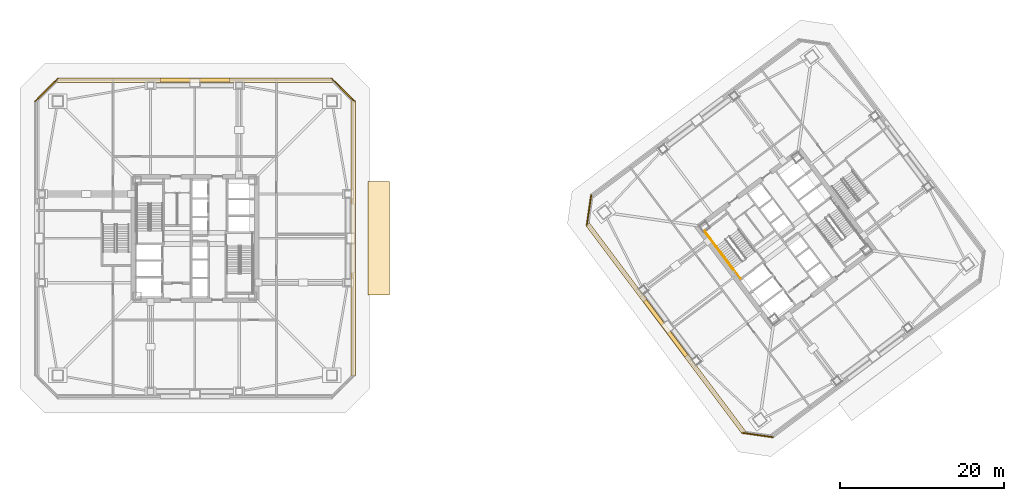
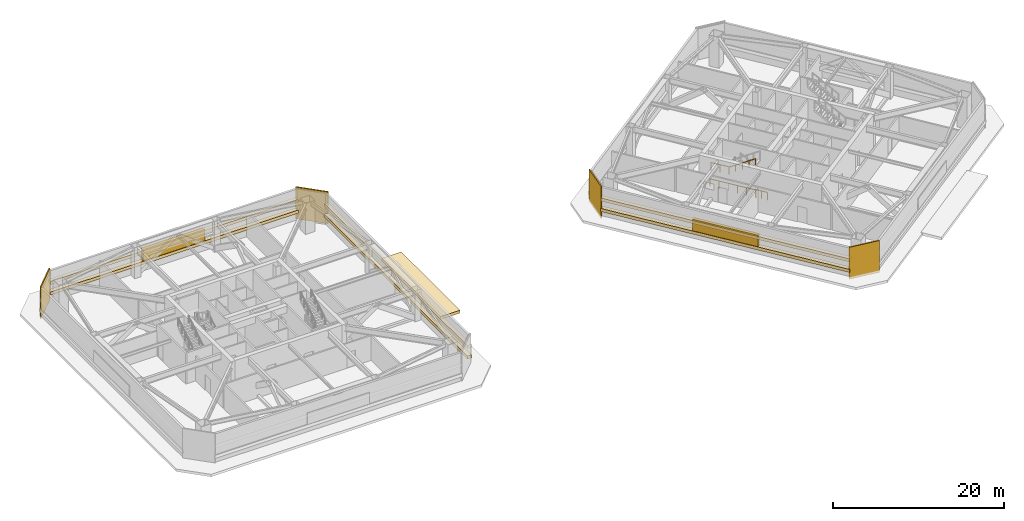
# One storey, part 12 of 15: 11 coverings, 4 railings, 2 shading devices.
"""IFC4 building model written with IfcOpenShell, lengths in metres."""

from ifc_helpers import new_model, si_unit, direction, frame, origin, origin_2d, place, context, subcontext, project, spatial, rectangle, extrude, material, layer, layer_set, type_object, element, save


model = new_model("IFC4")

# Units and contexts
model_context = context("Model", 3, precision=1e-05, world=origin(), true_north=direction((0.0, 1.0)))
body_context = subcontext(model_context, "Body", "Model", "MODEL_VIEW")
ifc_project = project(units=[si_unit("LENGTHUNIT", "METRE"), si_unit("AREAUNIT", "SQUARE_METRE"), si_unit("VOLUMEUNIT", "CUBIC_METRE"), si_unit("PLANEANGLEUNIT", "RADIAN"), si_unit("MASSUNIT", "GRAM", prefix="KILO")], contexts=[model_context])

# Site, building, storey
site_placement = place(None, origin())
site = spatial("IfcSite", under=ifc_project, at=site_placement, CompositionType="ELEMENT")
building_placement = place(site_placement, origin())
building = spatial("IfcBuilding", under=site, at=building_placement, Name="Tashvorn Skyway Center", CompositionType="ELEMENT")
storey_placement = place(building_placement, frame((0.0, 0.0, 109.800048828125)))
storey = spatial("IfcBuildingStorey", under=building, at=storey_placement, Name="L29", CompositionType="ELEMENT", Elevation=109.800048828125)

# Coverings
ifc_material_1 = material(Name="Perforated ceramic-coated bronze aluminium solar screen", Category="aluminium")
ifc_layer_1 = layer(ifc_material_1, 0.85009765625)
ifc_layer_set_1 = layer_set([ifc_layer_1], Name="Perforated ceramic-coated bronze aluminium solar screen")
covering_type_1 = type_object("IfcCoveringType", Name="COV-SOLAR-BAND", PredefinedType="CLADDING", material=ifc_layer_set_1)
for number, where, z_axis, x_axis, name in (
    (1, (42.0, 51.280029296875, 1.030029296875), (0.0, 0.0, 1.0), (1.0, 0.0, 0.0), "Tower 1 L29 North Belt Acoustic Louvre Band 1"),
    (2, (42.0, 51.280029296875, 2.530029296875), (0.0, 0.0, 1.0), (1.0, 0.0, 0.0), "Tower 1 L29 North Belt Acoustic Louvre Band 2"),
    (3, (61.280029296875, 32.0, 1.030029296875), (0.0, 0.0, 1.0), (0.0, -1.0, 0.0), "Tower 1 L29 East Belt Acoustic Louvre Band 1"),
    (4, (61.280029296875, 32.0, 2.530029296875), (0.0, 0.0, 1.0), (0.0, -1.0, 0.0), "Tower 1 L29 East Belt Acoustic Louvre Band 2"),
):
    element("IfcCovering", number, at=place(storey_placement, frame(where, z_axis=z_axis, x_axis=x_axis)), inside=storey, type_object=covering_type_1, Name=name, PredefinedType="CLADDING", context=body_context, shape_type="SweptSolid", body=[
        extrude(rectangle(XDim=33.56005859375, YDim=0.550048828125, at=origin_2d()), origin(), (0.0, 0.0, 1.0), 0.43994140625),
    ])
for number, where, z_axis, x_axis, name in (
    (5, (99.3759765625, 21.031982421875, 1.030029296875), (0.0, 0.0, 1.0), (-0.600000004945, 0.799999996291, 0.0), "Tower 2 L29 West Belt Acoustic Louvre Band 1"),
    (6, (99.3759765625, 21.031982421875, 2.530029296875), (0.0, 0.0, 1.0), (-0.600000004945, 0.799999996291, 0.0), "Tower 2 L29 West Belt Acoustic Louvre Band 2"),
):
    element("IfcCovering", number, at=place(storey_placement, frame(where, z_axis=z_axis, x_axis=x_axis)), inside=storey, type_object=covering_type_1, Name=name, PredefinedType="CLADDING", context=body_context, shape_type="SweptSolid", body=[
        extrude(rectangle(XDim=31.760009765625, YDim=0.550048828125, at=origin_2d()), origin(), (0.0, 0.0, 1.0), 0.43994140625),
    ])
ifc_material_2 = material(Name="Precast concrete C40/50", Category="concrete")
ifc_layer_2 = layer(ifc_material_2, 0.35009765625)
ifc_layer_set_2 = layer_set([ifc_layer_2], Name="Precast concrete C40/50")
covering_type_2 = type_object("IfcCoveringType", Name="COV-STONE-TRIM", PredefinedType="CLADDING", material=ifc_layer_set_2)
covering_placement = place(storey_placement, frame((64.39990234375, 32.0, 0.0), z_axis=(0.0, 0.0, 1.0), x_axis=(0.0, -1.0, 0.0)))
element("IfcCovering", 7, at=covering_placement, inside=storey, type_object=covering_type_2, Name="Tower 1 L28 Sky Garden Terracotta Canopy Hood", PredefinedType="CLADDING", context=body_context, shape_type="SweptSolid", body=[
    extrude(rectangle(XDim=13.800048828125, YDim=2.64990234375, at=origin_2d()), origin(), (0.0, 0.0, 1.0), 0.39990234375),
])
for number, where, z_axis, x_axis, name in (
    (8, (23.929931640625, 50.070068359375, 0.02001953125), (0.0, 0.0, 1.0), (-0.707106781187, -0.707106781187, 0.0), "Tower 1 L29 NW Mojave Limestone Corner Quoin"),
    (9, (60.070068359375, 50.070068359375, 0.02001953125), (0.0, 0.0, 1.0), (0.707106781187, -0.707106781187, 0.0), "Tower 1 L29 NE Mojave Limestone Corner Quoin"),
):
    element("IfcCovering", number, at=place(storey_placement, frame(where, z_axis=z_axis, x_axis=x_axis)), inside=storey, type_object=covering_type_2, Name=name, PredefinedType="CLADDING", context=body_context, shape_type="SweptSolid", body=[
        extrude(rectangle(XDim=3.978515625, YDim=0.139892578125, at=origin_2d()), origin(), (0.0, 0.0, 1.0), 4.56005859375),
    ])
for number, where, z_axis, x_axis, name in (
    (10, (110.575927734375, 8.031982421875, 0.02001953125), (0.0, 0.0, 1.0), (-0.989949494535, 0.141421350118, 0.0), "Tower 2 L29 SW Mojave Limestone Corner Quoin"),
    (11, (90.031982421875, 35.424072265625, 0.02001953125), (0.0, 0.0, 1.0), (-0.141421350118, -0.989949494535, 0.0), "Tower 2 L29 NW Mojave Limestone Corner Quoin"),
):
    element("IfcCovering", number, at=place(storey_placement, frame(where, z_axis=z_axis, x_axis=x_axis)), inside=storey, type_object=covering_type_2, Name=name, PredefinedType="CLADDING", context=body_context, shape_type="SweptSolid", body=[
        extrude(rectangle(XDim=3.8369140625, YDim=0.139892578125, at=origin_2d()), origin(), (0.0, 0.0, 1.0), 4.56005859375),
    ])

# Railings
ifc_material_3 = material(Name="Brushed stainless steel 316", Category="steel")
railing_type_1 = type_object("IfcRailingType", Name="RAIL-HAND-920", PredefinedType="HANDRAIL", material=ifc_material_3)
railing_1_placement = place(storey_placement, frame((105.568115234375, 31.02587890625, 2.476806640625)))
element("IfcRailing", 12, at=railing_1_placement, inside=storey, type_object=railing_type_1, Name="L29 ST-T2-1 stair handrail 2", PredefinedType="HANDRAIL", context=body_context, shape_type="SweptSolid", body=[
    extrude(rectangle(XDim=0.048095703125, YDim=0.048095703125, at=origin_2d()), frame((0.0, 0.0, 0.8759765625), z_axis=(0.507205711726, -0.676315233875, 0.534172322777), x_axis=(0.800017438734, 0.59997674765, 0.0)), (0.0, 0.0, 1.0), 3.974365234375),
    extrude(rectangle(XDim=0.0419921875, YDim=0.0419921875, at=origin_2d()), origin(), (0.0, 0.0, 1.0), 0.851806640625),
    extrude(rectangle(XDim=0.0419921875, YDim=0.0419921875, at=origin_2d()), frame((0.50390625, -0.671875, 0.53076171875)), (0.0, 0.0, 1.0), 0.851806640625),
    extrude(rectangle(XDim=0.0419921875, YDim=0.0419921875, at=origin_2d()), frame((1.0078125, -1.343994140625, 1.0615234375)), (0.0, 0.0, 1.0), 0.851806640625),
    extrude(rectangle(XDim=0.0419921875, YDim=0.0419921875, at=origin_2d()), frame((1.511962890625, -2.01611328125, 1.59228515625)), (0.0, 0.0, 1.0), 0.851806640625),
    extrude(rectangle(XDim=0.0419921875, YDim=0.0419921875, at=origin_2d()), frame((2.015869140625, -2.68798828125, 2.123046875)), (0.0, 0.0, 1.0), 0.851806640625),
])
ifc_material_4 = material(Name="Painted galvanized steel S355", Category="steel")
railing_type_2 = type_object("IfcRailingType", Name="RAIL-STGUARD-1100", PredefinedType="GUARDRAIL", material=ifc_material_4)
railing_2_placement = place(storey_placement, frame((105.568115234375, 31.02587890625, 2.300048828125)))
element("IfcRailing", 13, at=railing_2_placement, inside=storey, type_object=railing_type_2, Name="L29 ST-T2-1 stair guard 3", PredefinedType="GUARDRAIL", context=body_context, shape_type="SweptSolid", body=[
    extrude(rectangle(XDim=0.048095703125, YDim=0.048095703125, at=origin_2d()), frame((0.0, 0.0, 1.076171875), z_axis=(-0.599983164142, 0.800012626617, 0.0), x_axis=(-0.800012626617, -0.599983164142, 0.0)), (0.0, 0.0, 1.0), 2.3203125),
    extrude(rectangle(XDim=0.0419921875, YDim=0.0419921875, at=origin_2d()), origin(), (0.0, 0.0, 1.0), 1.052001953125),
    extrude(rectangle(XDim=0.0419921875, YDim=0.0419921875, at=origin_2d()), frame((-0.696044921875, 0.92822265625, 0.0)), (0.0, 0.0, 1.0), 1.052001953125),
    extrude(rectangle(XDim=0.0419921875, YDim=0.0419921875, at=origin_2d()), frame((-1.39208984375, 1.856201171875, 0.0)), (0.0, 0.0, 1.0), 1.052001953125),
])
railing_3_placement = place(storey_placement, frame((108.49609375, 27.1220703125, 0.0)))
element("IfcRailing", 14, at=railing_3_placement, inside=storey, type_object=railing_type_2, Name="L29 ST-T2-1 stair guard 6", PredefinedType="GUARDRAIL", context=body_context, shape_type="SweptSolid", body=[
    extrude(rectangle(XDim=0.048095703125, YDim=0.048095703125, at=origin_2d()), frame((0.0, 0.0, 1.076171875), z_axis=(-0.600102796382, 0.799922892393, 0.0), x_axis=(-0.799922892393, -0.600102796382, 0.0)), (0.0, 0.0, 1.0), 1.52001953125),
    extrude(rectangle(XDim=0.0419921875, YDim=0.0419921875, at=origin_2d()), origin(), (0.0, 0.0, 1.0), 1.052001953125),
    extrude(rectangle(XDim=0.0419921875, YDim=0.0419921875, at=origin_2d()), frame((-0.4560546875, 0.60791015625, 0.0)), (0.0, 0.0, 1.0), 1.052001953125),
    extrude(rectangle(XDim=0.0419921875, YDim=0.0419921875, at=origin_2d()), frame((-0.912109375, 1.2158203125, 0.0)), (0.0, 0.0, 1.0), 1.052001953125),
])
railing_4_placement = place(storey_placement, frame((107.56396484375, 28.197998046875, 0.0)))
element("IfcRailing", 15, at=railing_4_placement, inside=storey, type_object=railing_type_2, Name="L29 ST-T2-1 stair guard 7", PredefinedType="GUARDRAIL", context=body_context, shape_type="SweptSolid", body=[
    extrude(rectangle(XDim=0.048095703125, YDim=0.048095703125, at=origin_2d()), frame((0.0, 0.0, 1.076171875), z_axis=(-0.6, 0.8, 0.0), x_axis=(-0.8, -0.6, 0.0)), (0.0, 0.0, 1.0), 5.880126953125),
    extrude(rectangle(XDim=0.0419921875, YDim=0.0419921875, at=origin_2d()), origin(), (0.0, 0.0, 1.0), 1.052001953125),
    extrude(rectangle(XDim=0.0419921875, YDim=0.0419921875, at=origin_2d()), frame((-0.70556640625, 0.94091796875, 0.0)), (0.0, 0.0, 1.0), 1.052001953125),
    extrude(rectangle(XDim=0.0419921875, YDim=0.0419921875, at=origin_2d()), frame((-1.4111328125, 1.881591796875, 0.0)), (0.0, 0.0, 1.0), 1.052001953125),
    extrude(rectangle(XDim=0.0419921875, YDim=0.0419921875, at=origin_2d()), frame((-2.116943359375, 2.822509765625, 0.0)), (0.0, 0.0, 1.0), 1.052001953125),
    extrude(rectangle(XDim=0.0419921875, YDim=0.0419921875, at=origin_2d()), frame((-2.822509765625, 3.76318359375, 0.0)), (0.0, 0.0, 1.0), 1.052001953125),
    extrude(rectangle(XDim=0.0419921875, YDim=0.0419921875, at=origin_2d()), frame((-3.528076171875, 4.7041015625, 0.0)), (0.0, 0.0, 1.0), 1.052001953125),
])

# Shading devices
ifc_material_5 = material(Name="Thermally broken bronze-anodized aluminium 6063-T6", Category="aluminium")
ifc_layer_3 = layer(ifc_material_5, 0.1201171875)
ifc_layer_set_3 = layer_set([ifc_layer_3], Name="Thermally broken bronze-anodized aluminium 6063-T6")
shading_device_type = type_object("IfcShadingDeviceType", Name="SHD-LOUVRE-450", PredefinedType="JALOUSIE", material=ifc_layer_set_3)
for number, where, z_axis, x_axis, name in (
    (16, (42.0, 51.280029296875, 1.2998046875), (0.0, 0.0, 1.0), (1.0, 0.0, 0.0), "Tower 1 L29 North Mechanical Intake Louvre"),
    (17, (99.3759765625, 21.031982421875, 1.2998046875), (0.0, 0.0, 1.0), (-0.600000004945, 0.799999996291, 0.0), "Tower 2 L29 West Mechanical Intake Louvre"),
):
    element("IfcShadingDevice", number, at=place(storey_placement, frame(where, z_axis=z_axis, x_axis=x_axis)), inside=storey, type_object=shading_device_type, Name=name, PredefinedType="JALOUSIE", context=body_context, shape_type="SweptSolid", body=[
        extrude(rectangle(XDim=8.39990234375, YDim=0.449951171875, at=origin_2d()), origin(), (0.0, 0.0, 1.0), 1.800048828125),
    ])

save(model, "model.ifc")
